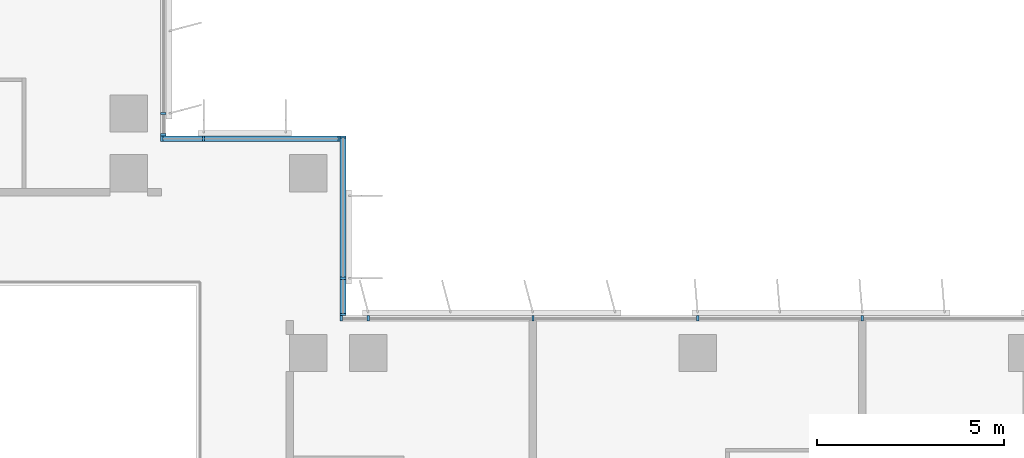
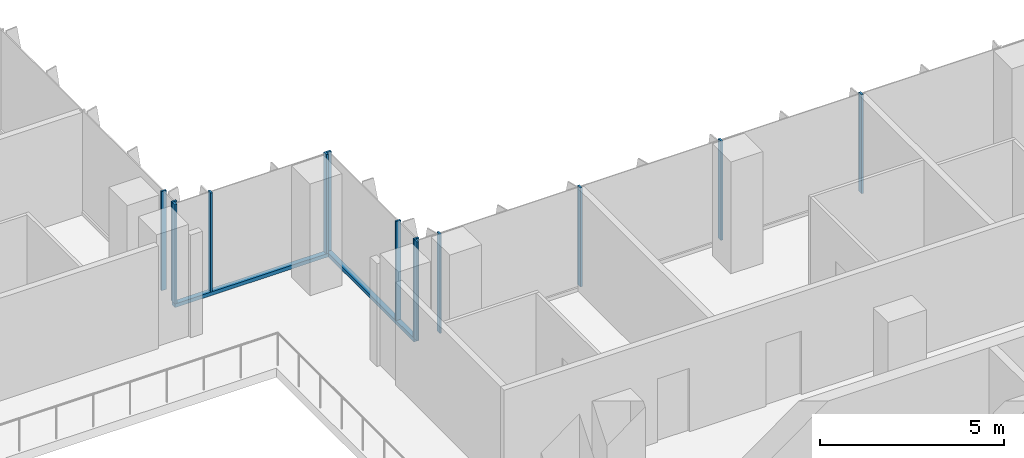
# One storey, part 2 of 21: 15 members, 4 elements without a shape of their own.
"""IFC4 building model written with IfcOpenShell, lengths in metres."""

from ifc_helpers import new_model, si_unit, direction, frame, origin, origin_2d, place, context, subcontext, project, spatial, rectangle, extrude, source, transform, mapped, material, material_profile, profile_set, type_object, element, aggregate, save


model = new_model("IFC4")

# Units and contexts
model_context = context("Model", 3, precision=1e-05, world=origin(), true_north=direction((0.0, 1.0)))
body_context = subcontext(model_context, "Body", "Model", "MODEL_VIEW")
ifc_project = project(units=[si_unit("LENGTHUNIT", "METRE"), si_unit("AREAUNIT", "SQUARE_METRE"), si_unit("VOLUMEUNIT", "CUBIC_METRE"), si_unit("PLANEANGLEUNIT", "RADIAN"), si_unit("MASSUNIT", "GRAM", prefix="KILO")], contexts=[model_context])

# Site, building, storey
site_placement = place(None, origin())
site = spatial("IfcSite", under=ifc_project, at=site_placement, CompositionType="ELEMENT")
building_placement = place(site_placement, origin())
building = spatial("IfcBuilding", under=site, at=building_placement, Name="Kemantara Hotel Tower", CompositionType="ELEMENT")
storey_placement = place(building_placement, frame((0.0, 0.0, 175.300048828125)))
storey = spatial("IfcBuildingStorey", under=building, at=storey_placement, Name="L43", CompositionType="ELEMENT", Elevation=175.300048828125)

# Curtain wall, member
ifc_material_1 = material(Name="Low-E tinted double insulated glass 36 mm", Category="glass")
curtain_wall_type = type_object("IfcCurtainWallType", Name="TOWER CURTAIN WALL, FRONT FACES", PredefinedType="USERDEFINED", material=ifc_material_1)
curtain_wall_1_placement = place(storey_placement, origin())
curtain_wall_1 = element("IfcCurtainWall", 1, at=curtain_wall_1_placement, inside=storey, type_object=curtain_wall_type, Name="CW4 L43 T3-R15-1", ObjectType="TOWER CURTAIN WALL, FRONT FACES", PredefinedType="USERDEFINED")
ifc_material_2 = material(Name="Aluminium 6063-T6 bronze anodised", Category="aluminium")
ifc_material_profile_1 = material_profile(ifc_material_2, rectangle(XDim=0.14990234375, YDim=0.1201171875, at=origin_2d()), Name="TOWER CURTAIN WALL, FRONT FACES TRANSOM")
ifc_profile_set_1 = profile_set([ifc_material_profile_1], Name="Aluminium 6063-T6 bronze anodised")
member_type_1 = type_object("IfcMemberType", Name="TOWER CURTAIN WALL, FRONT FACES TRANSOM", PredefinedType="USERDEFINED", material=ifc_profile_set_1)
member_1_placement = place(storey_placement, frame((26.72509765625, 22.0, 0.06005859375), z_axis=(0.0, 1.0, 0.0), x_axis=(-1.0, 0.0, 0.0)))
member_1 = element("IfcMember", 2, at=member_1_placement, type_object=member_type_1, Name="CW4 sill transom T3-R15-1", ObjectType="TRANSOM", PredefinedType="USERDEFINED", context=body_context, shape_type="SweptSolid", body=[
    extrude(rectangle(XDim=0.14990234375, YDim=0.1201171875, at=origin_2d()), origin(), (0.0, 0.0, 1.0), 4.800048828125),
])

curtain_wall_2_placement = place(storey_placement, origin())
curtain_wall_2 = element("IfcCurtainWall", 3, at=curtain_wall_2_placement, inside=storey, type_object=curtain_wall_type, Name="CW4 L43 T3-R16-1", ObjectType="TOWER CURTAIN WALL, FRONT FACES", PredefinedType="USERDEFINED")
member_2_placement = place(storey_placement, frame((26.64990234375, 26.72509765625, 0.06005859375), z_axis=(-1.0, 0.0, 0.0), x_axis=(0.0, -1.0, 0.0)))
member_2 = element("IfcMember", 4, at=member_2_placement, type_object=member_type_1, Name="CW4 sill transom T3-R16-1", ObjectType="TRANSOM", PredefinedType="USERDEFINED", context=body_context, shape_type="SweptSolid", body=[
    extrude(rectangle(XDim=0.14990234375, YDim=0.1201171875, at=origin_2d()), origin(), (0.0, 0.0, 1.0), 4.7998046875),
])

# Curtain wall, members
curtain_wall_3_placement = place(storey_placement, origin())
curtain_wall_3 = element("IfcCurtainWall", 5, at=curtain_wall_3_placement, inside=storey, type_object=curtain_wall_type, Name="CW4 L43 T3-R14-1", ObjectType="TOWER CURTAIN WALL, FRONT FACES", PredefinedType="USERDEFINED")
ifc_material_profile_2 = material_profile(ifc_material_2, rectangle(XDim=0.14990234375, YDim=0.06005859375, at=origin_2d()), Name="TOWER CURTAIN WALL, FRONT FACES MULLION")
ifc_profile_set_2 = profile_set([ifc_material_profile_2], Name="Aluminium 6063-T6 bronze anodised")
member_type_2 = type_object("IfcMemberType", Name="TOWER CURTAIN WALL, FRONT FACES MULLION", PredefinedType="MULLION", material=ifc_profile_set_2)
shared_shape = source(origin(), body_context, "Body", "SweptSolid", [
    extrude(rectangle(XDim=0.14990234375, YDim=0.06005859375, at=origin_2d()), origin(), (0.0, 0.0, 1.0), 3.280029296875),
])
member_3_placement = place(storey_placement, frame((40.60009765625, 21.925048828125, 0.119873046875), z_axis=(0.0, 0.0, 1.0), x_axis=(0.0, -1.0, 0.0)))
member_3 = element("IfcMember", 6, at=member_3_placement, type_object=member_type_2, Name="CW4 mullion T3-R14-1.6", PredefinedType="MULLION", context=body_context, shape_type="MappedRepresentation", body=[
    mapped(shared_shape, transform((0.0, 0.0, 0.0))),
])
member_4_placement = place(storey_placement, frame((36.199951171875, 21.925048828125, 0.119873046875), z_axis=(0.0, 0.0, 1.0), x_axis=(0.0, -1.0, 0.0)))
member_4 = element("IfcMember", 7, at=member_4_placement, type_object=member_type_2, Name="CW4 mullion T3-R14-1.7", PredefinedType="MULLION", context=body_context, shape_type="MappedRepresentation", body=[
    mapped(shared_shape, transform((0.0, 0.0, 0.0))),
])
member_5_placement = place(storey_placement, frame((31.800048828125, 21.925048828125, 0.119873046875), z_axis=(0.0, 0.0, 1.0), x_axis=(0.0, -1.0, 0.0)))
member_5 = element("IfcMember", 8, at=member_5_placement, type_object=member_type_2, Name="CW4 mullion T3-R14-1.8", PredefinedType="MULLION", context=body_context, shape_type="MappedRepresentation", body=[
    mapped(shared_shape, transform((0.0, 0.0, 0.0))),
])
member_6_placement = place(storey_placement, frame((27.39990234375, 21.925048828125, 0.119873046875), z_axis=(0.0, 0.0, 1.0), x_axis=(0.0, -1.0, 0.0)))
member_6 = element("IfcMember", 9, at=member_6_placement, type_object=member_type_2, Name="CW4 mullion T3-R14-1.9", PredefinedType="MULLION", context=body_context, shape_type="MappedRepresentation", body=[
    mapped(shared_shape, transform((0.0, 0.0, 0.0))),
])
member_7_placement = place(storey_placement, frame((26.679931640625, 21.925048828125, 0.119873046875), z_axis=(0.0, 0.0, 1.0), x_axis=(0.0, -1.0, 0.0)))
member_7 = element("IfcMember", 10, at=member_7_placement, type_object=member_type_2, Name="CW4 mullion T3-R14-1.10", PredefinedType="MULLION", context=body_context, shape_type="MappedRepresentation", body=[
    mapped(shared_shape, transform((0.0, 0.0, 0.0))),
])
aggregate(curtain_wall_3, [member_3, member_4, member_5, member_6, member_7])

# Member
member_8_placement = place(storey_placement, frame((26.72509765625, 22.030029296875, 0.119873046875), z_axis=(0.0, 0.0, 1.0), x_axis=(-1.0, 0.0, 0.0)))
member_8 = element("IfcMember", 11, at=member_8_placement, type_object=member_type_2, Name="CW4 mullion T3-R15-1.1", PredefinedType="MULLION", context=body_context, shape_type="MappedRepresentation", body=[
    mapped(shared_shape, transform((0.0, 0.0, 0.0))),
])

member_9_placement = place(storey_placement, frame((26.72509765625, 23.0, 0.119873046875), z_axis=(0.0, 0.0, 1.0), x_axis=(-1.0, 0.0, 0.0)))
member_9 = element("IfcMember", 12, at=member_9_placement, type_object=member_type_2, Name="CW4 mullion T3-R15-1.2", PredefinedType="MULLION", context=body_context, shape_type="MappedRepresentation", body=[
    mapped(shared_shape, transform((0.0, 0.0, 0.0))),
])

member_10_placement = place(storey_placement, frame((26.72509765625, 26.77001953125, 0.119873046875), z_axis=(0.0, 0.0, 1.0), x_axis=(-1.0, 0.0, 0.0)))
member_10 = element("IfcMember", 13, at=member_10_placement, type_object=member_type_2, Name="CW4 mullion T3-R15-1.3", PredefinedType="MULLION", context=body_context, shape_type="MappedRepresentation", body=[
    mapped(shared_shape, transform((0.0, 0.0, 0.0))),
])

aggregate(curtain_wall_1, [member_1, member_8, member_9, member_10])

member_11_placement = place(storey_placement, frame((26.6201171875, 26.72509765625, 0.119873046875), z_axis=(0.0, 0.0, 1.0), x_axis=(0.0, -1.0, 0.0)))
member_11 = element("IfcMember", 14, at=member_11_placement, type_object=member_type_2, Name="CW4 mullion T3-R16-1.1", PredefinedType="MULLION", context=body_context, shape_type="MappedRepresentation", body=[
    mapped(shared_shape, transform((0.0, 0.0, 0.0))),
])

member_12_placement = place(storey_placement, frame((23.0, 26.72509765625, 0.119873046875), z_axis=(0.0, 0.0, 1.0), x_axis=(0.0, -1.0, 0.0)))
member_12 = element("IfcMember", 15, at=member_12_placement, type_object=member_type_2, Name="CW4 mullion T3-R16-1.2", PredefinedType="MULLION", context=body_context, shape_type="MappedRepresentation", body=[
    mapped(shared_shape, transform((0.0, 0.0, 0.0))),
])

member_13_placement = place(storey_placement, frame((21.8798828125, 26.72509765625, 0.119873046875), z_axis=(0.0, 0.0, 1.0), x_axis=(0.0, -1.0, 0.0)))
member_13 = element("IfcMember", 16, at=member_13_placement, type_object=member_type_2, Name="CW4 mullion T3-R16-1.3", PredefinedType="MULLION", context=body_context, shape_type="MappedRepresentation", body=[
    mapped(shared_shape, transform((0.0, 0.0, 0.0))),
])

aggregate(curtain_wall_2, [member_2, member_11, member_12, member_13])

# Curtain wall, members
curtain_wall_4_placement = place(storey_placement, origin())
curtain_wall_4 = element("IfcCurtainWall", 17, at=curtain_wall_4_placement, inside=storey, type_object=curtain_wall_type, Name="CW4 L43 T3-R17-1", ObjectType="TOWER CURTAIN WALL, FRONT FACES", PredefinedType="USERDEFINED")
member_14_placement = place(storey_placement, frame((21.925048828125, 26.830078125, 0.119873046875), z_axis=(0.0, 0.0, 1.0), x_axis=(-1.0, 0.0, 0.0)))
member_14 = element("IfcMember", 18, at=member_14_placement, type_object=member_type_2, Name="CW4 mullion T3-R17-1.1", PredefinedType="MULLION", context=body_context, shape_type="MappedRepresentation", body=[
    mapped(shared_shape, transform((0.0, 0.0, 0.0))),
])
member_15_placement = place(storey_placement, frame((21.925048828125, 27.39990234375, 0.119873046875), z_axis=(0.0, 0.0, 1.0), x_axis=(-1.0, 0.0, 0.0)))
member_15 = element("IfcMember", 19, at=member_15_placement, type_object=member_type_2, Name="CW4 mullion T3-R17-1.2", PredefinedType="MULLION", context=body_context, shape_type="MappedRepresentation", body=[
    mapped(shared_shape, transform((0.0, 0.0, 0.0))),
])
aggregate(curtain_wall_4, [member_14, member_15])

save(model, "model.ifc")
